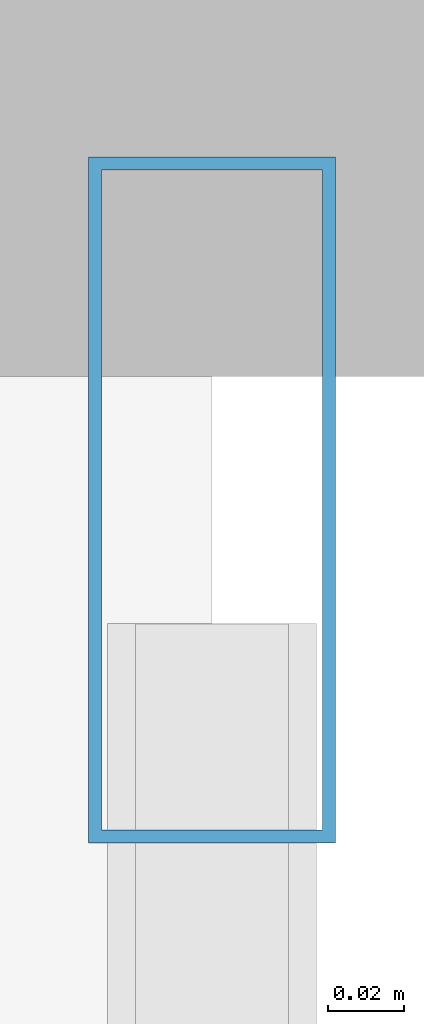
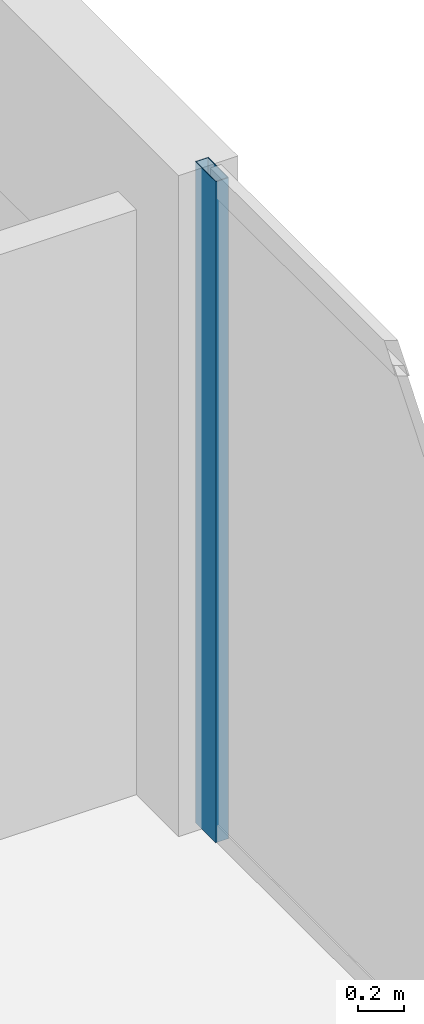
# One storey, part 21 of 32: 1 member, 1 element without a shape of its own.
"""IFC4 building model written with IfcOpenShell, lengths in metres."""

from ifc_helpers import new_model, si_unit, direction, frame, origin, origin_2d, place, context, subcontext, project, spatial, hollow_rectangle, extrude, material, layer, layer_set, material_profile, profile_set, type_object, element, aggregate, save


model = new_model("IFC4")

# Units and contexts
model_context = context("Model", 3, precision=1e-05, world=origin(), true_north=direction((0.0, 1.0)))
body_context = subcontext(model_context, "Body", "Model", "MODEL_VIEW")
ifc_project = project(units=[si_unit("LENGTHUNIT", "METRE"), si_unit("AREAUNIT", "SQUARE_METRE"), si_unit("VOLUMEUNIT", "CUBIC_METRE"), si_unit("PLANEANGLEUNIT", "RADIAN"), si_unit("MASSUNIT", "GRAM", prefix="KILO")], contexts=[model_context])

# Site, building, storey
site_placement = place(None, origin())
site = spatial("IfcSite", under=ifc_project, at=site_placement, CompositionType="ELEMENT")
building_placement = place(site_placement, origin())
building = spatial("IfcBuilding", under=site, at=building_placement, Name="Zuhayl Quay Hotel", CompositionType="ELEMENT")
storey_placement = place(building_placement, frame((0.0, 0.0, 184.89990234375)))
storey = spatial("IfcBuildingStorey", under=building, at=storey_placement, Name="L46", CompositionType="ELEMENT", Elevation=184.89990234375)

# Curtain wall, member
ifc_material_1 = material(Name="Anodised Aluminium 6063-T6", Category="aluminium")
ifc_layer = layer(ifc_material_1, 0.175048828125, Name="Anodised Aluminium 6063-T6", Category="aluminium")
ifc_layer_set = layer_set([ifc_layer], Name="Anodised Aluminium 6063-T6")
curtain_wall_type = type_object("IfcCurtainWallType", Name="CW_SYS_Z3", PredefinedType="USERDEFINED", material=ifc_layer_set)
curtain_wall_placement = place(storey_placement, origin())
curtain_wall = element("IfcCurtainWall", 1, at=curtain_wall_placement, inside=storey, type_object=curtain_wall_type, Name="L46 Curtain Wall ENV_L46_E11_CW1", ObjectType="UNITISED CURTAIN WALL", PredefinedType="USERDEFINED")
ifc_material_2 = material(Name="Black-anodised aluminium 6063-T6", Category="aluminium")
ifc_material_profile = material_profile(ifc_material_2, hollow_rectangle(XDim=0.06494140625, YDim=0.179931640625, WallThickness=0.00341796875, at=origin_2d()), Name="ALU180X65")
ifc_profile_set = profile_set([ifc_material_profile], Name="Black-anodised aluminium 6063-T6")
member_type = type_object("IfcMemberType", Name="MB_CW_MUL_180", PredefinedType="MULLION", material=ifc_profile_set)
member_placement = place(storey_placement, frame((22.10009765625, 24.517578125, 0.0), z_axis=(0.0, 0.0, 1.0), x_axis=(1.0, 0.0, 0.0)))
member = element("IfcMember", 2, at=member_placement, type_object=member_type, Name="CW-Z3 mullion 1", PredefinedType="MULLION", context=body_context, shape_type="SweptSolid", body=[
    extrude(hollow_rectangle(XDim=0.06494140625, YDim=0.179931640625, WallThickness=0.00341796875, at=origin_2d()), origin(), (0.0, 0.0, 1.0), 3.530029296875),
])
aggregate(curtain_wall, [member])

save(model, "model.ifc")
